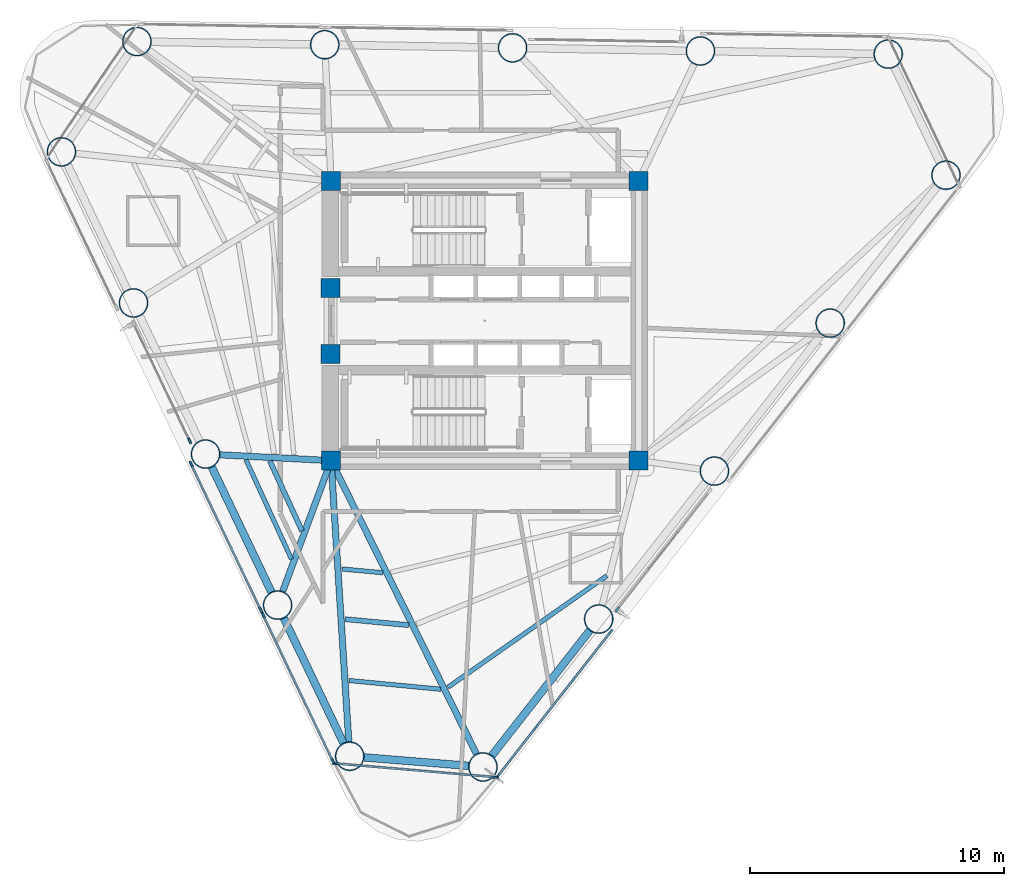
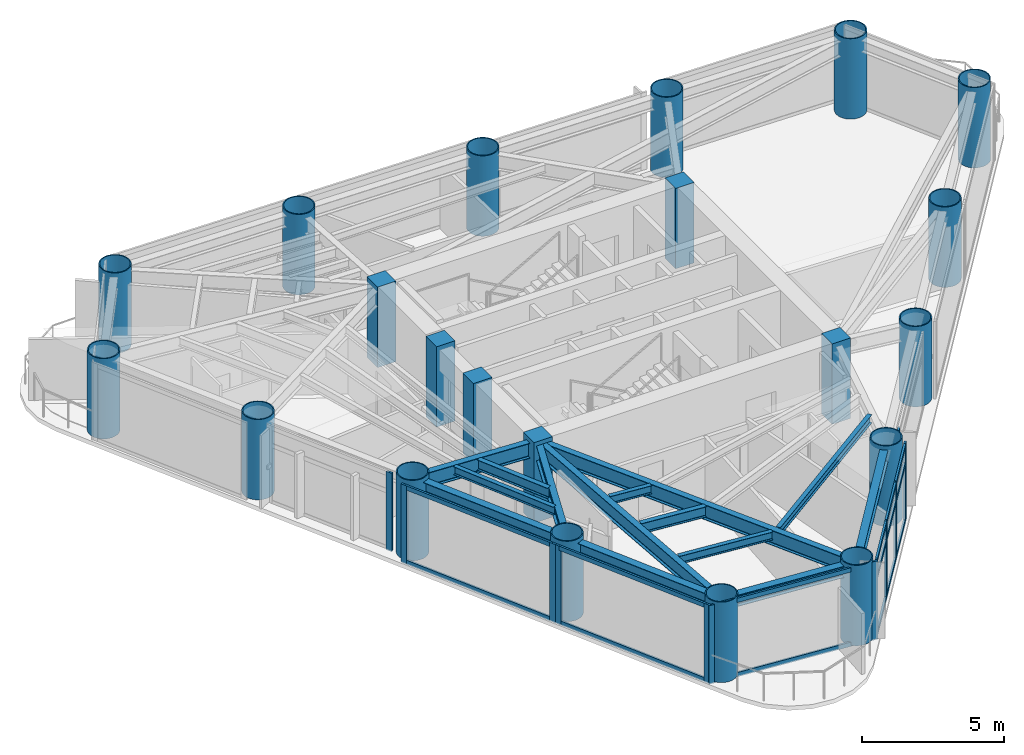
# One storey, part 1 of 10: 27 members, 21 columns, 14 beams, 6 elements without a shape of their own.
"""IFC4 building model written with IfcOpenShell, lengths in metres."""

from ifc_helpers import new_model, si_unit, direction, frame, origin, origin_2d, place, context, subcontext, project, spatial, rectangle, hollow_circle, i_section, extrude, source, transform, mapped, material, layer, layer_set, material_profile, profile_set, type_object, element, aggregate, save


model = new_model("IFC4")

# Units and contexts
model_context = context("Model", 3, precision=1e-05, world=origin(), true_north=direction((0.0, 1.0)))
body_context = subcontext(model_context, "Body", "Model", "MODEL_VIEW")
ifc_project = project(units=[si_unit("LENGTHUNIT", "METRE"), si_unit("AREAUNIT", "SQUARE_METRE"), si_unit("VOLUMEUNIT", "CUBIC_METRE"), si_unit("PLANEANGLEUNIT", "RADIAN"), si_unit("MASSUNIT", "GRAM", prefix="KILO")], contexts=[model_context])

# Site, building, storey
site_placement = place(None, origin())
site = spatial("IfcSite", under=ifc_project, at=site_placement, CompositionType="ELEMENT")
building_placement = place(site_placement, origin())
building = spatial("IfcBuilding", under=site, at=building_placement, Name="Yunling Apex Tower", CompositionType="ELEMENT")
storey_placement = place(building_placement, frame((0.0, 0.0, 191.449951171875)))
storey = spatial("IfcBuildingStorey", under=building, at=storey_placement, Name="L46", CompositionType="ELEMENT", Elevation=191.449951171875)

# Columns
ifc_material_1 = material(Name="Concrete C50", Category="concrete")
ifc_material_profile_1 = material_profile(ifc_material_1, rectangle(XDim=0.75, YDim=0.75, at=origin_2d()))
ifc_profile_set_1 = profile_set([ifc_material_profile_1], Name="Concrete C50")
column_type_1 = type_object("IfcColumnType", Name="PC-SRC-4", PredefinedType="COLUMN", material=ifc_profile_set_1)
shared_shape_1 = source(origin(), body_context, "Body", "SweptSolid", [
    extrude(rectangle(XDim=0.75, YDim=0.75, at=origin_2d()), origin(), (0.0, 0.0, 1.0), 3.449951171875),
])
for number, where, z_axis, x_axis, name in (
    (1, (-6.050048828125, -5.5, 0.0), (0.0, 0.0, 1.0), (1.0, 0.0, 0.0), "L46 Core Spine Column CC-SW"),
    (2, (6.050048828125, -5.5, 0.0), (0.0, 0.0, 1.0), (1.0, 0.0, 0.0), "L46 Core Spine Column CC-SE"),
    (3, (6.050048828125, 5.5, 0.0), (0.0, 0.0, 1.0), (1.0, 0.0, 0.0), "L46 Core Spine Column CC-NE"),
    (4, (-6.050048828125, 5.5, 0.0), (0.0, 0.0, 1.0), (1.0, 0.0, 0.0), "L46 Core Spine Column CC-NW"),
    (5, (-6.074951171875, -1.300048828125, 0.0), (0.0, 0.0, 1.0), (1.0, 0.0, 0.0), "L46 Core West Portal Jamb Column S"),
    (6, (-6.074951171875, 1.300048828125, 0.0), (0.0, 0.0, 1.0), (1.0, 0.0, 0.0), "L46 Core West Portal Jamb Column N"),
):
    element("IfcColumn", number, at=place(storey_placement, frame(where, z_axis=z_axis, x_axis=x_axis)), inside=storey, type_object=column_type_1, Name=name, PredefinedType="COLUMN", context=body_context, shape_type="MappedRepresentation", body=[
        mapped(shared_shape_1, transform((0.0, 0.0, 0.0), scale=1.0)),
    ])
ifc_material_2 = material(Name="Steel Q390GJC", Category="steel")
ifc_material_profile_2 = material_profile(ifc_material_2, hollow_circle(Radius=0.574951171875, WallThickness=0.0419921875, at=origin_2d()))
ifc_profile_set_2 = profile_set([ifc_material_profile_2], Name="Steel Q390GJC")
column_type_2 = type_object("IfcColumnType", Name="MC-CFST-4", PredefinedType="COLUMN", material=ifc_profile_set_2)
shared_shape_2 = source(origin(), body_context, "Body", "SweptSolid", [
    extrude(hollow_circle(Radius=0.574951171875, WallThickness=0.0419921875, at=origin_2d()), origin(), (0.0, 0.0, 1.0), 3.449951171875),
])
for number, where, z_axis, x_axis, name in (
    (7, (-0.073486328125, -17.55322265625, 0.0), (0.0, 0.0, 1.0), (1.0, 0.0, 0.0), "L46 Perimeter CFST Mega-Column P01"),
    (8, (4.480712890625, -11.732177734375, 0.0), (0.0, 0.0, 1.0), (1.0, 0.0, 0.0), "L46 Perimeter CFST Mega-Column P02"),
    (9, (9.03515625, -5.911376953125, 0.0), (0.0, 0.0, 1.0), (1.0, 0.0, 0.0), "L46 Perimeter CFST Mega-Column P03"),
    (10, (13.589599609375, -0.09033203125, 0.0), (0.0, 0.0, 1.0), (1.0, 0.0, 0.0), "L46 Perimeter CFST Mega-Column P04"),
    (11, (18.143798828125, 5.730712890625, 0.0), (0.0, 0.0, 1.0), (1.0, 0.0, 0.0), "L46 Perimeter CFST Mega-Column P05"),
    (12, (15.871826171875, 10.493896484375, 0.0), (0.0, 0.0, 1.0), (1.0, 0.0, 0.0), "L46 Perimeter CFST Mega-Column P06"),
    (13, (8.48193359375, 10.617919921875, 0.0), (0.0, 0.0, 1.0), (1.0, 0.0, 0.0), "L46 Perimeter CFST Mega-Column P07"),
    (14, (1.092041015625, 10.74169921875, 0.0), (0.0, 0.0, 1.0), (1.0, 0.0, 0.0), "L46 Perimeter CFST Mega-Column P08"),
    (15, (-6.2978515625, 10.865478515625, 0.0), (0.0, 0.0, 1.0), (1.0, 0.0, 0.0), "L46 Perimeter CFST Mega-Column P09"),
    (16, (-13.687744140625, 10.989501953125, 0.0), (0.0, 0.0, 1.0), (1.0, 0.0, 0.0), "L46 Perimeter CFST Mega-Column P10"),
    (17, (-16.657958984375, 6.649169921875, 0.0), (0.0, 0.0, 1.0), (1.0, 0.0, 0.0), "L46 Perimeter CFST Mega-Column P11"),
    (18, (-13.822509765625, 0.704345703125, 0.0), (0.0, 0.0, 1.0), (1.0, 0.0, 0.0), "L46 Perimeter CFST Mega-Column P12"),
    (19, (-10.98681640625, -5.240478515625, 0.0), (0.0, 0.0, 1.0), (1.0, 0.0, 0.0), "L46 Perimeter CFST Mega-Column P13"),
    (20, (-8.1513671875, -11.185302734375, 0.0), (0.0, 0.0, 1.0), (1.0, 0.0, 0.0), "L46 Perimeter CFST Mega-Column P14"),
    (21, (-5.31591796875, -17.130126953125, 0.0), (0.0, 0.0, 1.0), (1.0, 0.0, 0.0), "L46 Perimeter CFST Mega-Column P15"),
):
    element("IfcColumn", number, at=place(storey_placement, frame(where, z_axis=z_axis, x_axis=x_axis)), inside=storey, type_object=column_type_2, Name=name, PredefinedType="COLUMN", context=body_context, shape_type="MappedRepresentation", body=[
        mapped(shared_shape_2, transform((0.0, 0.0, 0.0), scale=1.0)),
    ])

# Beams
ifc_material_3 = material(Name="Steel Q355B", Category="steel")
ifc_material_profile_3 = material_profile(ifc_material_3, i_section(OverallWidth=0.300048828125, OverallDepth=0.489990234375, WebThickness=0.010986328125, FlangeThickness=0.01806640625, FilletRadius=0.02197265625, at=origin_2d()))
ifc_profile_set_3 = profile_set([ifc_material_profile_3], Name="Steel Q355B")
beam_type_1 = type_object("IfcBeamType", Name="BP-SPN-2", PredefinedType="SPANDREL", material=ifc_profile_set_3)
shared_shape_3 = source(origin(), body_context, "Body", "SweptSolid", [
    extrude(i_section(OverallWidth=0.300048828125, OverallDepth=0.489990234375, WebThickness=0.010986328125, FlangeThickness=0.01806640625, FilletRadius=0.02197265625, at=origin_2d()), origin(), (0.0, 0.0, 1.0), 6.252685546875),
])
beam_1_placement = place(storey_placement, frame((0.277099609375, -17.10498046875, 3.025146484375), z_axis=(0.616211399259, 0.787580796759, 0.0), x_axis=(-0.787580796759, 0.616211399259, 0.0)))
element("IfcBeam", 22, at=beam_1_placement, inside=storey, type_object=beam_type_1, Name="L46 Perimeter Spandrel Beam 1", PredefinedType="SPANDREL", context=body_context, shape_type="MappedRepresentation", body=[
    mapped(shared_shape_3, transform((0.0, 0.0, 0.0), scale=1.0)),
])
shared_shape_4 = source(origin(), body_context, "Body", "SweptSolid", [
    extrude(i_section(OverallWidth=0.300048828125, OverallDepth=0.489990234375, WebThickness=0.010986328125, FlangeThickness=0.01806640625, FilletRadius=0.02197265625, at=origin_2d()), origin(), (0.0, 0.0, 1.0), 4.121337890625),
])
beam_2_placement = place(storey_placement, frame((-4.74853515625, -17.17578125, 3.025146484375), z_axis=(0.996758900332, -0.080446843376, 0.0), x_axis=(0.080446843376, 0.996758900332, 0.0)))
element("IfcBeam", 23, at=beam_2_placement, inside=storey, type_object=beam_type_1, Name="L46 Perimeter Spandrel Beam 15", PredefinedType="SPANDREL", context=body_context, shape_type="MappedRepresentation", body=[
    mapped(shared_shape_4, transform((0.0, 0.0, 0.0), scale=1.0)),
])
shared_shape_5 = source(origin(), body_context, "Body", "SweptSolid", [
    extrude(i_section(OverallWidth=0.300048828125, OverallDepth=0.489990234375, WebThickness=0.010986328125, FlangeThickness=0.01806640625, FilletRadius=0.02197265625, at=origin_2d()), origin(), (0.0, 0.0, 1.0), 5.4482421875),
])
for number, where, z_axis, x_axis, name in (
    (24, (-10.741943359375, -5.754150390625, 3.025146484375), (0.430538797564, -0.902572071246, 0.0), (0.902572071246, 0.430538797564, 0.0), "L46 Perimeter Spandrel Beam 13"),
    (25, (-7.90625, -11.698974609375, 3.025146484375), (0.430502292287, -0.902589483839, 0.0), (0.902589483839, 0.430502292287, 0.0), "L46 Perimeter Spandrel Beam 14"),
):
    element("IfcBeam", number, at=place(storey_placement, frame(where, z_axis=z_axis, x_axis=x_axis)), inside=storey, type_object=beam_type_1, Name=name, PredefinedType="SPANDREL", context=body_context, shape_type="MappedRepresentation", body=[
        mapped(shared_shape_5, transform((0.0, 0.0, 0.0), scale=1.0)),
    ])
ifc_material_profile_4 = material_profile(ifc_material_3, i_section(OverallWidth=0.25, OverallDepth=0.64990234375, WebThickness=0.011962890625, FlangeThickness=0.02001953125, FilletRadius=0.02392578125, at=origin_2d()))
ifc_profile_set_4 = profile_set([ifc_material_profile_4], Name="Steel Q355B")
beam_type_2 = type_object("IfcBeamType", Name="BG-PRI-4", PredefinedType="USERDEFINED", material=ifc_profile_set_4)
shared_shape_6 = source(origin(), body_context, "Body", "SweptSolid", [
    extrude(i_section(OverallWidth=0.25, OverallDepth=0.64990234375, WebThickness=0.011962890625, FlangeThickness=0.02001953125, FilletRadius=0.02392578125, at=origin_2d()), origin(), (0.0, 0.0, 1.0), 12.79052734375),
])
beam_3_placement = place(storey_placement, frame((-0.33251953125, -17.031005859375, 2.945068359375), z_axis=(-0.444225803272, 0.895914859631, 0.0), x_axis=(-0.895914859631, -0.444225803272, 0.0)))
element("IfcBeam", 26, at=beam_3_placement, inside=storey, type_object=beam_type_2, Name="L46 Radial Primary Girder R01", ObjectType="GIRDER", PredefinedType="USERDEFINED", context=body_context, shape_type="MappedRepresentation", body=[
    mapped(shared_shape_6, transform((0.0, 0.0, 0.0), scale=1.0)),
])
shared_shape_7 = source(origin(), body_context, "Body", "SweptSolid", [
    extrude(i_section(OverallWidth=0.25, OverallDepth=0.64990234375, WebThickness=0.011962890625, FlangeThickness=0.02001953125, FilletRadius=0.02392578125, at=origin_2d()), origin(), (0.0, 0.0, 1.0), 4.28076171875),
])
beam_4_placement = place(storey_placement, frame((-10.40478515625, -5.27099609375, 2.945068359375), z_axis=(0.998619561788, -0.052525906134, 0.0), x_axis=(0.052525906134, 0.998619561788, 0.0)))
element("IfcBeam", 27, at=beam_4_placement, inside=storey, type_object=beam_type_2, Name="L46 Radial Primary Girder R13", ObjectType="GIRDER", PredefinedType="USERDEFINED", context=body_context, shape_type="MappedRepresentation", body=[
    mapped(shared_shape_7, transform((0.0, 0.0, 0.0), scale=1.0)),
])
shared_shape_8 = source(origin(), body_context, "Body", "SweptSolid", [
    extrude(i_section(OverallWidth=0.25, OverallDepth=0.64990234375, WebThickness=0.011962890625, FlangeThickness=0.02001953125, FilletRadius=0.02392578125, at=origin_2d()), origin(), (0.0, 0.0, 1.0), 5.398193359375),
])
beam_5_placement = place(storey_placement, frame((-7.94921875, -10.638427734375, 2.945068359375), z_axis=(0.346698581513, 0.937976595431, 0.0), x_axis=(-0.937976595431, 0.346698581513, 0.0)))
element("IfcBeam", 28, at=beam_5_placement, inside=storey, type_object=beam_type_2, Name="L46 Radial Primary Girder R14", ObjectType="GIRDER", PredefinedType="USERDEFINED", context=body_context, shape_type="MappedRepresentation", body=[
    mapped(shared_shape_8, transform((0.0, 0.0, 0.0), scale=1.0)),
])
shared_shape_9 = source(origin(), body_context, "Body", "SweptSolid", [
    extrude(i_section(OverallWidth=0.25, OverallDepth=0.64990234375, WebThickness=0.011962890625, FlangeThickness=0.02001953125, FilletRadius=0.02392578125, at=origin_2d()), origin(), (0.0, 0.0, 1.0), 10.990234375),
])
beam_6_placement = place(storey_placement, frame((-5.3525390625, -16.54833984375, 2.945068359375), z_axis=(-0.062999232086, 0.998013575437, 0.0), x_axis=(-0.998013575437, -0.062999232086, 0.0)))
element("IfcBeam", 29, at=beam_6_placement, inside=storey, type_object=beam_type_2, Name="L46 Radial Primary Girder R15", ObjectType="GIRDER", PredefinedType="USERDEFINED", context=body_context, shape_type="MappedRepresentation", body=[
    mapped(shared_shape_9, transform((0.0, 0.0, 0.0), scale=1.0)),
])
ifc_material_profile_5 = material_profile(ifc_material_3, i_section(OverallWidth=0.175048828125, OverallDepth=0.35009765625, WebThickness=0.007080078125, FlangeThickness=0.010986328125, FilletRadius=0.013916015625, at=origin_2d()))
ifc_profile_set_5 = profile_set([ifc_material_profile_5], Name="Steel Q355B")
beam_type_3 = type_object("IfcBeamType", Name="BJ-JST-1", PredefinedType="JOIST", material=ifc_profile_set_5)
shared_shape_10 = source(origin(), body_context, "Body", "SweptSolid", [
    extrude(i_section(OverallWidth=0.175048828125, OverallDepth=0.35009765625, WebThickness=0.007080078125, FlangeThickness=0.010986328125, FilletRadius=0.013916015625, at=origin_2d()), origin(), (0.0, 0.0, 1.0), 7.639892578125),
])
beam_7_placement = place(storey_placement, frame((-1.45166015625, -14.41796875, 3.094970703125), z_axis=(0.818522685397, 0.574474206113, 0.0), x_axis=(-0.574474206113, 0.818522685397, 0.0)))
element("IfcBeam", 30, at=beam_7_placement, inside=storey, type_object=beam_type_3, Name="L46 Composite Floor Joist BJ1-1", PredefinedType="JOIST", context=body_context, shape_type="MappedRepresentation", body=[
    mapped(shared_shape_10, transform((0.0, 0.0, 0.0), scale=1.0)),
])
ifc_material_profile_6 = material_profile(ifc_material_3, i_section(OverallWidth=0.199951171875, OverallDepth=0.449951171875, WebThickness=0.009033203125, FlangeThickness=0.013916015625, FilletRadius=0.01806640625, at=origin_2d()))
ifc_profile_set_6 = profile_set([ifc_material_profile_6], Name="Steel Q355B")
beam_type_4 = type_object("IfcBeamType", Name="BS-SEC-3", PredefinedType="BEAM", material=ifc_profile_set_6)
shared_shape_11 = source(origin(), body_context, "Body", "SweptSolid", [
    extrude(i_section(OverallWidth=0.199951171875, OverallDepth=0.449951171875, WebThickness=0.009033203125, FlangeThickness=0.013916015625, FilletRadius=0.01806640625, at=origin_2d()), origin(), (0.0, 0.0, 1.0), 3.0263671875),
])
beam_8_placement = place(storey_placement, frame((-8.456787109375, -5.515380859375, 3.045166015625), z_axis=(0.417707186738, -0.908581700315, 0.0), x_axis=(0.908581700315, 0.417707186738, 0.0)))
element("IfcBeam", 31, at=beam_8_placement, inside=storey, type_object=beam_type_4, Name="L46 Composite Floor Beam BS-13", PredefinedType="BEAM", context=body_context, shape_type="MappedRepresentation", body=[
    mapped(shared_shape_11, transform((0.0, 0.0, 0.0), scale=1.0)),
])
shared_shape_12 = source(origin(), body_context, "Body", "SweptSolid", [
    extrude(i_section(OverallWidth=0.175048828125, OverallDepth=0.35009765625, WebThickness=0.007080078125, FlangeThickness=0.010986328125, FilletRadius=0.013916015625, at=origin_2d()), origin(), (0.0, 0.0, 1.0), 4.3046875),
])
beam_9_placement = place(storey_placement, frame((-9.397705078125, -5.466064453125, 3.094970703125), z_axis=(0.416693768596, -0.909046920248, 0.0), x_axis=(0.909046920248, 0.416693768596, 0.0)))
element("IfcBeam", 32, at=beam_9_placement, inside=storey, type_object=beam_type_3, Name="L46 Composite Floor Joist BJ1-13", PredefinedType="JOIST", context=body_context, shape_type="MappedRepresentation", body=[
    mapped(shared_shape_12, transform((0.0, 0.0, 0.0), scale=1.0)),
])
shared_shape_13 = source(origin(), body_context, "Body", "SweptSolid", [
    extrude(i_section(OverallWidth=0.199951171875, OverallDepth=0.449951171875, WebThickness=0.009033203125, FlangeThickness=0.013916015625, FilletRadius=0.01806640625, at=origin_2d()), origin(), (0.0, 0.0, 1.0), 2.51708984375),
])
beam_10_placement = place(storey_placement, frame((-5.497802734375, -11.7373046875, 3.045166015625), z_axis=(0.995573168634, -0.093989711653, 0.0), x_axis=(0.093989711653, 0.995573168634, 0.0)))
element("IfcBeam", 33, at=beam_10_placement, inside=storey, type_object=beam_type_4, Name="L46 Composite Floor Beam BS-15", PredefinedType="BEAM", context=body_context, shape_type="MappedRepresentation", body=[
    mapped(shared_shape_13, transform((0.0, 0.0, 0.0), scale=1.0)),
])
shared_shape_14 = source(origin(), body_context, "Body", "SweptSolid", [
    extrude(i_section(OverallWidth=0.175048828125, OverallDepth=0.35009765625, WebThickness=0.007080078125, FlangeThickness=0.010986328125, FilletRadius=0.013916015625, at=origin_2d()), origin(), (0.0, 0.0, 1.0), 3.620361328125),
])
beam_11_placement = place(storey_placement, frame((-5.345703125, -14.150390625, 3.094970703125), z_axis=(0.99546937037, -0.095082767391, 0.0), x_axis=(0.095082767391, 0.99546937037, 0.0)))
element("IfcBeam", 34, at=beam_11_placement, inside=storey, type_object=beam_type_3, Name="L46 Composite Floor Joist BJ1-15", PredefinedType="JOIST", context=body_context, shape_type="MappedRepresentation", body=[
    mapped(shared_shape_14, transform((0.0, 0.0, 0.0), scale=1.0)),
])
shared_shape_15 = source(origin(), body_context, "Body", "SweptSolid", [
    extrude(i_section(OverallWidth=0.175048828125, OverallDepth=0.35009765625, WebThickness=0.007080078125, FlangeThickness=0.010986328125, FilletRadius=0.013916015625, at=origin_2d()), origin(), (0.0, 0.0, 1.0), 1.61474609375),
])
beam_12_placement = place(storey_placement, frame((-5.62255859375, -9.7626953125, 3.094970703125), z_axis=(0.995751976421, -0.092076063413, 0.0), x_axis=(0.092076063413, 0.995751976421, 0.0)))
element("IfcBeam", 35, at=beam_12_placement, inside=storey, type_object=beam_type_3, Name="L46 Composite Floor Joist BJ3-15", PredefinedType="JOIST", context=body_context, shape_type="MappedRepresentation", body=[
    mapped(shared_shape_15, transform((0.0, 0.0, 0.0), scale=1.0)),
])

# Curtain wall, members
ifc_material_4 = material(Name="Bronze anodised aluminium", Category="aluminium")
ifc_layer = layer(ifc_material_4, 0.239990234375)
ifc_layer_set = layer_set([ifc_layer], Name="Bronze anodised aluminium")
curtain_wall_type = type_object("IfcCurtainWallType", Name="CW-SYS-3", PredefinedType="NOTDEFINED", material=ifc_layer_set)
curtain_wall_1_placement = place(storey_placement, origin())
curtain_wall_1 = element("IfcCurtainWall", 36, at=curtain_wall_1_placement, inside=storey, type_object=curtain_wall_type, Name="CW-L46-F1-B1", PredefinedType="NOTDEFINED")
ifc_material_profile_7 = material_profile(ifc_material_4, rectangle(XDim=0.080078125, YDim=0.239990234375, at=origin_2d()))
ifc_profile_set_7 = profile_set([ifc_material_profile_7], Name="Bronze anodised aluminium")
member_type_1 = type_object("IfcMemberType", Name="CW-MUL-3", PredefinedType="MULLION", material=ifc_profile_set_7)
shared_shape_16 = source(origin(), body_context, "Body", "SweptSolid", [
    extrude(rectangle(XDim=0.080078125, YDim=0.239990234375, at=origin_2d()), origin(), (0.0, 0.0, 1.0), 3.3701171875),
])
member_1_placement = place(storey_placement, frame((0.535888671875, -17.877685546875, -0.050048828125), z_axis=(0.0, 0.0, 1.0), x_axis=(-0.787589332433, 0.616200489644, 0.0)))
member_1 = element("IfcMember", 37, at=member_1_placement, type_object=member_type_1, Name="CW-SYS-3 mullion 1", PredefinedType="MULLION", context=body_context, shape_type="MappedRepresentation", body=[
    mapped(shared_shape_16, transform((0.0, 0.0, 0.0), scale=1.0)),
])
member_2_placement = place(storey_placement, frame((1.99658203125, -16.010986328125, -0.050048828125), z_axis=(0.0, 0.0, 1.0), x_axis=(-0.787589332433, 0.616200489644, 0.0)))
member_2 = element("IfcMember", 38, at=member_2_placement, type_object=member_type_1, Name="CW-SYS-3 mullion 2", PredefinedType="MULLION", context=body_context, shape_type="MappedRepresentation", body=[
    mapped(shared_shape_16, transform((0.0, 0.0, 0.0), scale=1.0)),
])
member_3_placement = place(storey_placement, frame((3.481689453125, -14.112548828125, -0.050048828125), z_axis=(0.0, 0.0, 1.0), x_axis=(-0.787589332433, 0.616200489644, 0.0)))
member_3 = element("IfcMember", 39, at=member_3_placement, type_object=member_type_1, Name="CW-SYS-3 mullion 3", PredefinedType="MULLION", context=body_context, shape_type="MappedRepresentation", body=[
    mapped(shared_shape_16, transform((0.0, 0.0, 0.0), scale=1.0)),
])
member_4_placement = place(storey_placement, frame((4.9423828125, -12.24560546875, -0.050048828125), z_axis=(0.0, 0.0, 1.0), x_axis=(-0.787589332433, 0.616200489644, 0.0)))
member_4 = element("IfcMember", 40, at=member_4_placement, type_object=member_type_1, Name="CW-SYS-3 mullion 4", PredefinedType="MULLION", context=body_context, shape_type="MappedRepresentation", body=[
    mapped(shared_shape_16, transform((0.0, 0.0, 0.0), scale=1.0)),
])

# Curtain wall, member
curtain_wall_2_placement = place(storey_placement, origin())
curtain_wall_2 = element("IfcCurtainWall", 41, at=curtain_wall_2_placement, inside=storey, type_object=curtain_wall_type, Name="CW-L46-F1-B2", PredefinedType="NOTDEFINED")
member_5_placement = place(storey_placement, frame((5.20458984375, -11.35888671875, -0.050048828125), z_axis=(0.0, 0.0, 1.0), x_axis=(-0.787576499109, 0.616216892053, 0.0)))
member_5 = element("IfcMember", 42, at=member_5_placement, type_object=member_type_1, Name="CW-SYS-3 mullion 1", PredefinedType="MULLION", context=body_context, shape_type="MappedRepresentation", body=[
    mapped(shared_shape_16, transform((0.0, 0.0, 0.0), scale=1.0)),
])
aggregate(curtain_wall_2, [member_5])

curtain_wall_3_placement = place(storey_placement, origin())
curtain_wall_3 = element("IfcCurtainWall", 43, at=curtain_wall_3_placement, inside=storey, type_object=curtain_wall_type, Name="CW-L46-F3-B2", PredefinedType="NOTDEFINED")
member_6_placement = place(storey_placement, frame((-11.6123046875, -4.718994140625, -0.050048828125), z_axis=(0.0, 0.0, 1.0), x_axis=(0.902583049107, 0.430515783062, 0.0)))
member_6 = element("IfcMember", 44, at=member_6_placement, type_object=member_type_1, Name="CW-SYS-3 mullion 2", PredefinedType="MULLION", context=body_context, shape_type="MappedRepresentation", body=[
    mapped(shared_shape_16, transform((0.0, 0.0, 0.0), scale=1.0)),
])
aggregate(curtain_wall_3, [member_6])

# Curtain wall, members
curtain_wall_4_placement = place(storey_placement, origin())
curtain_wall_4 = element("IfcCurtainWall", 45, at=curtain_wall_4_placement, inside=storey, type_object=curtain_wall_type, Name="CW-L46-F3-B3", PredefinedType="NOTDEFINED")
member_7_placement = place(storey_placement, frame((-11.549072265625, -5.6416015625, -0.050048828125), z_axis=(0.0, 0.0, 1.0), x_axis=(0.902588239851, 0.430504900417, 0.0)))
member_7 = element("IfcMember", 46, at=member_7_placement, type_object=member_type_1, Name="CW-SYS-3 mullion 1", PredefinedType="MULLION", context=body_context, shape_type="MappedRepresentation", body=[
    mapped(shared_shape_16, transform((0.0, 0.0, 0.0), scale=1.0)),
])
member_8_placement = place(storey_placement, frame((-8.81689453125, -11.36962890625, -0.050048828125), z_axis=(0.0, 0.0, 1.0), x_axis=(0.902588239851, 0.430504900417, 0.0)))
member_8 = element("IfcMember", 47, at=member_8_placement, type_object=member_type_1, Name="CW-SYS-3 mullion 2", PredefinedType="MULLION", context=body_context, shape_type="MappedRepresentation", body=[
    mapped(shared_shape_16, transform((0.0, 0.0, 0.0), scale=1.0)),
])

curtain_wall_5_placement = place(storey_placement, origin())
curtain_wall_5 = element("IfcCurtainWall", 48, at=curtain_wall_5_placement, inside=storey, type_object=curtain_wall_type, Name="CW-L46-F3-B4", PredefinedType="NOTDEFINED")
member_9_placement = place(storey_placement, frame((-8.71337890625, -11.586181640625, -0.050048828125), z_axis=(0.0, 0.0, 1.0), x_axis=(0.902582193367, 0.430517577128, 0.0)))
member_9 = element("IfcMember", 49, at=member_9_placement, type_object=member_type_1, Name="CW-SYS-3 mullion 1", PredefinedType="MULLION", context=body_context, shape_type="MappedRepresentation", body=[
    mapped(shared_shape_16, transform((0.0, 0.0, 0.0), scale=1.0)),
])
member_10_placement = place(storey_placement, frame((-5.981201171875, -17.314453125, -0.050048828125), z_axis=(0.0, 0.0, 1.0), x_axis=(0.902582193367, 0.430517577128, 0.0)))
member_10 = element("IfcMember", 50, at=member_10_placement, type_object=member_type_1, Name="CW-SYS-3 mullion 2", PredefinedType="MULLION", context=body_context, shape_type="MappedRepresentation", body=[
    mapped(shared_shape_16, transform((0.0, 0.0, 0.0), scale=1.0)),
])

curtain_wall_6_placement = place(storey_placement, origin())
curtain_wall_6 = element("IfcCurtainWall", 51, at=curtain_wall_6_placement, inside=storey, type_object=curtain_wall_type, Name="CW-L46-CRN3", PredefinedType="NOTDEFINED")
member_11_placement = place(storey_placement, frame((-5.87158203125, -17.417724609375, -0.050048828125), z_axis=(0.0, 0.0, 1.0), x_axis=(0.085517150026, 0.996336698637, 0.0)))
member_11 = element("IfcMember", 52, at=member_11_placement, type_object=member_type_1, Name="CW-SYS-3 mullion 1", PredefinedType="MULLION", context=body_context, shape_type="MappedRepresentation", body=[
    mapped(shared_shape_16, transform((0.0, 0.0, 0.0), scale=1.0)),
])
member_12_placement = place(storey_placement, frame((0.406494140625, -17.95654296875, -0.050048828125), z_axis=(0.0, 0.0, 1.0), x_axis=(0.085517150026, 0.996336698637, 0.0)))
member_12 = element("IfcMember", 53, at=member_12_placement, type_object=member_type_1, Name="CW-SYS-3 mullion 2", PredefinedType="MULLION", context=body_context, shape_type="MappedRepresentation", body=[
    mapped(shared_shape_16, transform((0.0, 0.0, 0.0), scale=1.0)),
])

# Member
ifc_material_profile_8 = material_profile(ifc_material_4, rectangle(XDim=0.080078125, YDim=0.18505859375, at=origin_2d()))
ifc_profile_set_8 = profile_set([ifc_material_profile_8], Name="Bronze anodised aluminium")
member_type_2 = type_object("IfcMemberType", Name="CW-TRN-3", PredefinedType="USERDEFINED", material=ifc_profile_set_8)
shared_shape_17 = source(origin(), body_context, "Body", "SweptSolid", [
    extrude(rectangle(XDim=0.080078125, YDim=0.18505859375, at=origin_2d()), origin(), (0.0, 0.0, 1.0), 2.29833984375),
])
member_13_placement = place(storey_placement, frame((0.55810546875, -17.849365234375, 0.0400390625), z_axis=(0.616225194125, 0.787570003317, 0.0), x_axis=(-0.787570003317, 0.616225194125, 0.0)))
member_13 = element("IfcMember", 54, at=member_13_placement, type_object=member_type_2, Name="CW-SYS-3 transom 1.1", ObjectType="TRANSOM", PredefinedType="USERDEFINED", context=body_context, shape_type="MappedRepresentation", body=[
    mapped(shared_shape_17, transform((0.0, 0.0, 0.0), scale=1.0)),
])

member_14_placement = place(storey_placement, frame((0.55810546875, -17.849365234375, 2.4853515625), z_axis=(0.616225194125, 0.787570003317, 0.0), x_axis=(-0.787570003317, 0.616225194125, 0.0)))
member_14 = element("IfcMember", 55, at=member_14_placement, type_object=member_type_2, Name="CW-SYS-3 transom 1.2", ObjectType="TRANSOM", PredefinedType="USERDEFINED", context=body_context, shape_type="MappedRepresentation", body=[
    mapped(shared_shape_17, transform((0.0, 0.0, 0.0), scale=1.0)),
])

member_15_placement = place(storey_placement, frame((0.55810546875, -17.849365234375, 3.22998046875), z_axis=(0.616225194125, 0.787570003317, 0.0), x_axis=(-0.787570003317, 0.616225194125, 0.0)))
member_15 = element("IfcMember", 56, at=member_15_placement, type_object=member_type_2, Name="CW-SYS-3 transom 1.3", ObjectType="TRANSOM", PredefinedType="USERDEFINED", context=body_context, shape_type="MappedRepresentation", body=[
    mapped(shared_shape_17, transform((0.0, 0.0, 0.0), scale=1.0)),
])

member_16_placement = place(storey_placement, frame((3.50390625, -14.084228515625, 0.0400390625), z_axis=(0.616225194125, 0.787570003317, 0.0), x_axis=(-0.787570003317, 0.616225194125, 0.0)))
member_16 = element("IfcMember", 57, at=member_16_placement, type_object=member_type_2, Name="CW-SYS-3 transom 3.1", ObjectType="TRANSOM", PredefinedType="USERDEFINED", context=body_context, shape_type="MappedRepresentation", body=[
    mapped(shared_shape_17, transform((0.0, 0.0, 0.0), scale=1.0)),
])

member_17_placement = place(storey_placement, frame((3.50390625, -14.084228515625, 2.4853515625), z_axis=(0.616225194125, 0.787570003317, 0.0), x_axis=(-0.787570003317, 0.616225194125, 0.0)))
member_17 = element("IfcMember", 58, at=member_17_placement, type_object=member_type_2, Name="CW-SYS-3 transom 3.2", ObjectType="TRANSOM", PredefinedType="USERDEFINED", context=body_context, shape_type="MappedRepresentation", body=[
    mapped(shared_shape_17, transform((0.0, 0.0, 0.0), scale=1.0)),
])

member_18_placement = place(storey_placement, frame((3.50390625, -14.084228515625, 3.22998046875), z_axis=(0.616225194125, 0.787570003317, 0.0), x_axis=(-0.787570003317, 0.616225194125, 0.0)))
member_18 = element("IfcMember", 59, at=member_18_placement, type_object=member_type_2, Name="CW-SYS-3 transom 3.3", ObjectType="TRANSOM", PredefinedType="USERDEFINED", context=body_context, shape_type="MappedRepresentation", body=[
    mapped(shared_shape_17, transform((0.0, 0.0, 0.0), scale=1.0)),
])

shared_shape_18 = source(origin(), body_context, "Body", "SweptSolid", [
    extrude(rectangle(XDim=0.080078125, YDim=0.18505859375, at=origin_2d()), origin(), (0.0, 0.0, 1.0), 2.338134765625),
])
member_19_placement = place(storey_placement, frame((2.018798828125, -15.982421875, 0.0400390625), z_axis=(0.61616466275, 0.787617361654, 0.0), x_axis=(-0.787617361654, 0.61616466275, 0.0)))
member_19 = element("IfcMember", 60, at=member_19_placement, type_object=member_type_2, Name="CW-SYS-3 transom 2.1", ObjectType="TRANSOM", PredefinedType="USERDEFINED", context=body_context, shape_type="MappedRepresentation", body=[
    mapped(shared_shape_18, transform((0.0, 0.0, 0.0), scale=1.0)),
])

member_20_placement = place(storey_placement, frame((2.018798828125, -15.982421875, 2.4853515625), z_axis=(0.61616466275, 0.787617361654, 0.0), x_axis=(-0.787617361654, 0.61616466275, 0.0)))
member_20 = element("IfcMember", 61, at=member_20_placement, type_object=member_type_2, Name="CW-SYS-3 transom 2.2", ObjectType="TRANSOM", PredefinedType="USERDEFINED", context=body_context, shape_type="MappedRepresentation", body=[
    mapped(shared_shape_18, transform((0.0, 0.0, 0.0), scale=1.0)),
])

member_21_placement = place(storey_placement, frame((2.018798828125, -15.982421875, 3.22998046875), z_axis=(0.61616466275, 0.787617361654, 0.0), x_axis=(-0.787617361654, 0.61616466275, 0.0)))
member_21 = element("IfcMember", 62, at=member_21_placement, type_object=member_type_2, Name="CW-SYS-3 transom 2.3", ObjectType="TRANSOM", PredefinedType="USERDEFINED", context=body_context, shape_type="MappedRepresentation", body=[
    mapped(shared_shape_18, transform((0.0, 0.0, 0.0), scale=1.0)),
])

aggregate(curtain_wall_1, [member_1, member_2, member_3, member_4, member_13, member_14, member_15, member_19, member_20, member_21, member_16, member_17, member_18])

shared_shape_19 = source(origin(), body_context, "Body", "SweptSolid", [
    extrude(rectangle(XDim=0.080078125, YDim=0.18505859375, at=origin_2d()), origin(), (0.0, 0.0, 1.0), 6.2744140625),
])
member_22_placement = place(storey_placement, frame((-11.533447265625, -5.674072265625, 0.0400390625), z_axis=(0.430513491492, -0.902584142141, 0.0), x_axis=(0.902584142141, 0.430513491492, 0.0)))
member_22 = element("IfcMember", 63, at=member_22_placement, type_object=member_type_2, Name="CW-SYS-3 transom 1.1", ObjectType="TRANSOM", PredefinedType="USERDEFINED", context=body_context, shape_type="MappedRepresentation", body=[
    mapped(shared_shape_19, transform((0.0, 0.0, 0.0), scale=1.0)),
])

member_23_placement = place(storey_placement, frame((-11.533447265625, -5.674072265625, 3.22998046875), z_axis=(0.430513491492, -0.902584142141, 0.0), x_axis=(0.902584142141, 0.430513491492, 0.0)))
member_23 = element("IfcMember", 64, at=member_23_placement, type_object=member_type_2, Name="CW-SYS-3 transom 1.2", ObjectType="TRANSOM", PredefinedType="USERDEFINED", context=body_context, shape_type="MappedRepresentation", body=[
    mapped(shared_shape_19, transform((0.0, 0.0, 0.0), scale=1.0)),
])

aggregate(curtain_wall_4, [member_7, member_8, member_22, member_23])

member_24_placement = place(storey_placement, frame((-8.697998046875, -11.618896484375, 0.0400390625), z_axis=(0.430513491492, -0.902584142141, 0.0), x_axis=(0.902584142141, 0.430513491492, 0.0)))
member_24 = element("IfcMember", 65, at=member_24_placement, type_object=member_type_2, Name="CW-SYS-3 transom 1.1", ObjectType="TRANSOM", PredefinedType="USERDEFINED", context=body_context, shape_type="MappedRepresentation", body=[
    mapped(shared_shape_19, transform((0.0, 0.0, 0.0), scale=1.0)),
])

member_25_placement = place(storey_placement, frame((-8.697998046875, -11.618896484375, 3.22998046875), z_axis=(0.430513491492, -0.902584142141, 0.0), x_axis=(0.902584142141, 0.430513491492, 0.0)))
member_25 = element("IfcMember", 66, at=member_25_placement, type_object=member_type_2, Name="CW-SYS-3 transom 1.2", ObjectType="TRANSOM", PredefinedType="USERDEFINED", context=body_context, shape_type="MappedRepresentation", body=[
    mapped(shared_shape_19, transform((0.0, 0.0, 0.0), scale=1.0)),
])

aggregate(curtain_wall_5, [member_9, member_10, member_24, member_25])

shared_shape_20 = source(origin(), body_context, "Body", "SweptSolid", [
    extrude(rectangle(XDim=0.080078125, YDim=0.18505859375, at=origin_2d()), origin(), (0.0, 0.0, 1.0), 6.22900390625),
])
member_26_placement = place(storey_placement, frame((-5.835693359375, -17.420654296875, 0.0400390625), z_axis=(0.996336446565, -0.085520086795, 0.0), x_axis=(0.085520086795, 0.996336446565, 0.0)))
member_26 = element("IfcMember", 67, at=member_26_placement, type_object=member_type_2, Name="CW-SYS-3 transom 1.1", ObjectType="TRANSOM", PredefinedType="USERDEFINED", context=body_context, shape_type="MappedRepresentation", body=[
    mapped(shared_shape_20, transform((0.0, 0.0, 0.0), scale=1.0)),
])

member_27_placement = place(storey_placement, frame((-5.835693359375, -17.420654296875, 3.22998046875), z_axis=(0.996336446565, -0.085520086795, 0.0), x_axis=(0.085520086795, 0.996336446565, 0.0)))
member_27 = element("IfcMember", 68, at=member_27_placement, type_object=member_type_2, Name="CW-SYS-3 transom 1.2", ObjectType="TRANSOM", PredefinedType="USERDEFINED", context=body_context, shape_type="MappedRepresentation", body=[
    mapped(shared_shape_20, transform((0.0, 0.0, 0.0), scale=1.0)),
])

aggregate(curtain_wall_6, [member_11, member_12, member_26, member_27])

save(model, "model.ifc")
